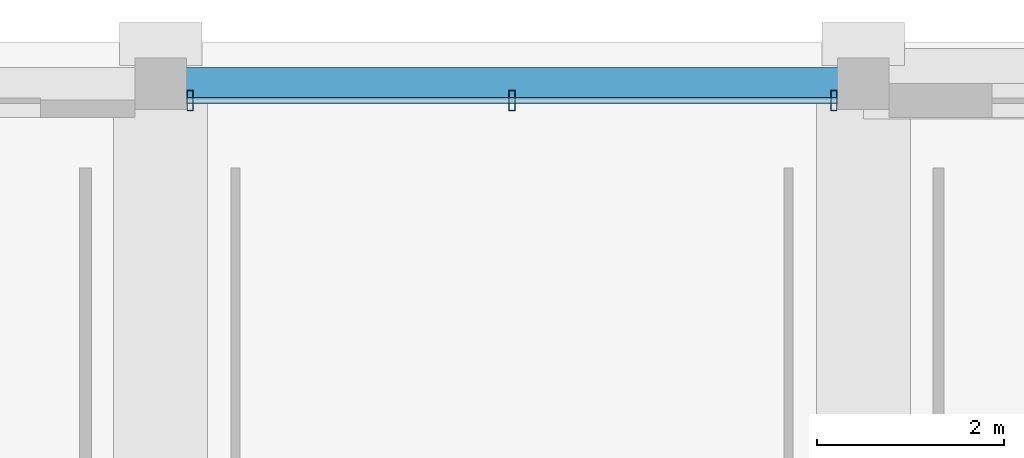
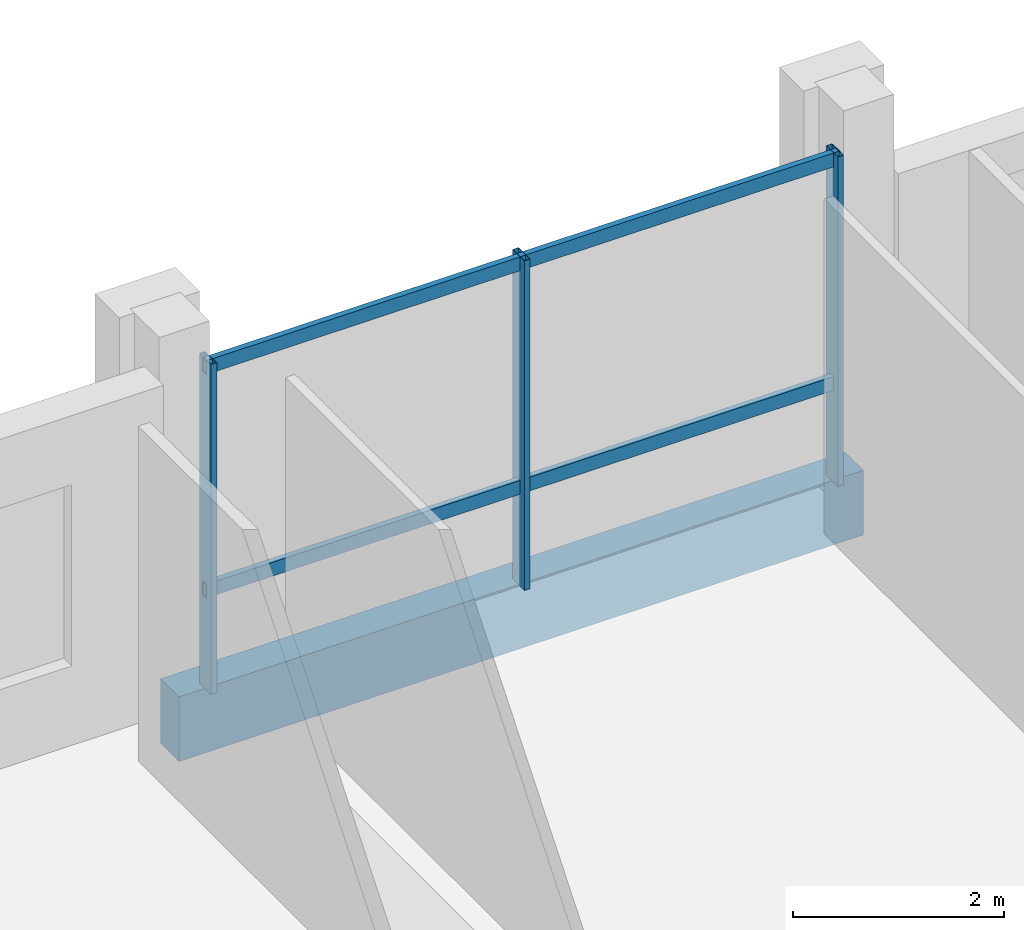
# One storey, part 30 of 68: 5 members, 1 beam, 1 element without a shape of its own.
"""IFC4 building model written with IfcOpenShell, lengths in metres."""

from ifc_helpers import new_model, si_unit, direction, frame, origin, origin_2d, place, context, subcontext, project, spatial, rectangle, hollow_rectangle, extrude, material, material_profile, profile_set, type_object, element, aggregate, save


model = new_model("IFC4")

# Units and contexts
model_context = context("Model", 3, precision=1e-05, world=origin(), true_north=direction((0.0, 1.0)))
body_context = subcontext(model_context, "Body", "Model", "MODEL_VIEW")
ifc_project = project(units=[si_unit("LENGTHUNIT", "METRE"), si_unit("AREAUNIT", "SQUARE_METRE"), si_unit("VOLUMEUNIT", "CUBIC_METRE"), si_unit("PLANEANGLEUNIT", "RADIAN"), si_unit("MASSUNIT", "GRAM", prefix="KILO")], contexts=[model_context])

# Site, building, storey
site_placement = place(None, origin())
site = spatial("IfcSite", under=ifc_project, at=site_placement, CompositionType="ELEMENT")
building_placement = place(site_placement, origin())
building = spatial("IfcBuilding", under=site, at=building_placement, Name="Akrevak Sports Hall", CompositionType="ELEMENT")
storey_placement = place(building_placement, frame((0.0, 0.0, 9.39990234375)))
storey = spatial("IfcBuildingStorey", under=building, at=storey_placement, Name="L02", CompositionType="ELEMENT", Elevation=9.39990234375)

# Curtain wall, members
ifc_material_1 = material(Name="Anodized Bronze Aluminium & Low-E Glass", Category="aluminium")
curtain_wall_type = type_object("IfcCurtainWallType", Name="ARC-CW-POD-70x42", PredefinedType="NOTDEFINED", material=ifc_material_1)
curtain_wall_placement = place(storey_placement, origin())
curtain_wall = element("IfcCurtainWall", 1, at=curtain_wall_placement, inside=storey, type_object=curtain_wall_type, Name="Curtain Wall CW-L02-N06", PredefinedType="NOTDEFINED")
ifc_material_2 = material(Name="Anodized Bronze Aluminium", Category="aluminium")
ifc_material_profile_1 = material_profile(ifc_material_2, hollow_rectangle(XDim=0.06494140625, YDim=0.219970703125, WallThickness=0.00439453125, at=origin_2d()), Name="CWM 65x220", Category="aluminium")
ifc_profile_set_1 = profile_set([ifc_material_profile_1], Name="Anodized Bronze Aluminium")
member_type_1 = type_object("IfcMemberType", Name="ARC-CWM-70x160", PredefinedType="MULLION", material=ifc_profile_set_1)
member_1_placement = place(storey_placement, frame((44.68505859375, 113.820068359375, 0.0), z_axis=(0.0, 0.0, 1.0), x_axis=(-1.0, 0.0, 0.0)))
member_1 = element("IfcMember", 2, at=member_1_placement, type_object=member_type_1, Name="Curtain Wall Mullion CW-L02-N06-M1", PredefinedType="MULLION", context=body_context, shape_type="SweptSolid", body=[
    extrude(hollow_rectangle(XDim=0.06494140625, YDim=0.219970703125, WallThickness=0.00439453125, at=origin_2d()), origin(), (0.0, 0.0, 1.0), 3.820068359375),
])
member_2_placement = place(storey_placement, frame((41.25, 113.820068359375, 0.0), z_axis=(0.0, 0.0, 1.0), x_axis=(-1.0, 0.0, 0.0)))
member_2 = element("IfcMember", 3, at=member_2_placement, type_object=member_type_1, Name="Curtain Wall Mullion CW-L02-N06-M2", PredefinedType="MULLION", context=body_context, shape_type="SweptSolid", body=[
    extrude(hollow_rectangle(XDim=0.06494140625, YDim=0.219970703125, WallThickness=0.00439453125, at=origin_2d()), origin(), (0.0, 0.0, 1.0), 3.820068359375),
])
member_3_placement = place(storey_placement, frame((37.81494140625, 113.820068359375, 0.0), z_axis=(0.0, 0.0, 1.0), x_axis=(-1.0, 0.0, 0.0)))
member_3 = element("IfcMember", 4, at=member_3_placement, type_object=member_type_1, Name="Curtain Wall Mullion CW-L02-N06-M3", PredefinedType="MULLION", context=body_context, shape_type="SweptSolid", body=[
    extrude(hollow_rectangle(XDim=0.06494140625, YDim=0.219970703125, WallThickness=0.00439453125, at=origin_2d()), origin(), (0.0, 0.0, 1.0), 3.820068359375),
])
ifc_material_profile_2 = material_profile(ifc_material_2, hollow_rectangle(XDim=0.06494140625, YDim=0.159912109375, WallThickness=0.00390625, at=origin_2d()), Name="CWT 65x160", Category="aluminium")
ifc_profile_set_2 = profile_set([ifc_material_profile_2], Name="Anodized Bronze Aluminium")
member_type_2 = type_object("IfcMemberType", Name="ARC-CWT-70x130", PredefinedType="USERDEFINED", material=ifc_profile_set_2)
member_4_placement = place(storey_placement, frame((44.72509765625, 113.820068359375, 1.150146484375), z_axis=(-1.0, 0.0, 0.0), x_axis=(0.0, -1.0, 0.0)))
member_4 = element("IfcMember", 5, at=member_4_placement, type_object=member_type_2, Name="Curtain Wall Transom CW-L02-N06-T1", ObjectType="TRANSOM", PredefinedType="USERDEFINED", context=body_context, shape_type="SweptSolid", body=[
    extrude(hollow_rectangle(XDim=0.06494140625, YDim=0.159912109375, WallThickness=0.00390625, at=origin_2d()), origin(), (0.0, 0.0, 1.0), 6.9501953125),
])
member_5_placement = place(storey_placement, frame((44.72509765625, 113.820068359375, 3.739990234375), z_axis=(-1.0, 0.0, 0.0), x_axis=(0.0, -1.0, 0.0)))
member_5 = element("IfcMember", 6, at=member_5_placement, type_object=member_type_2, Name="Curtain Wall Transom CW-L02-N06-T2", ObjectType="TRANSOM", PredefinedType="USERDEFINED", context=body_context, shape_type="SweptSolid", body=[
    extrude(hollow_rectangle(XDim=0.06494140625, YDim=0.159912109375, WallThickness=0.00390625, at=origin_2d()), origin(), (0.0, 0.0, 1.0), 6.9501953125),
])
aggregate(curtain_wall, [member_1, member_2, member_3, member_4, member_5])

# Beam
ifc_material_3 = material(Name="Concrete C40/50", Category="concrete")
ifc_material_profile_3 = material_profile(ifc_material_3, rectangle(XDim=0.35009765625, YDim=0.75, at=origin_2d()), Name="SPD 350x750", Category="concrete")
ifc_profile_set_3 = profile_set([ifc_material_profile_3], Name="Concrete C40/50")
beam_type = type_object("IfcBeamType", Name="STR-SPD-RC350x750", PredefinedType="SPANDREL", material=ifc_profile_set_3)
beam_placement = place(storey_placement, frame((37.5, 114.0, -0.375), z_axis=(1.0, 0.0, 0.0), x_axis=(0.0, 1.0, 0.0)))
element("IfcBeam", 7, at=beam_placement, inside=storey, type_object=beam_type, Name="Girder Q/6-7 (L02)", PredefinedType="SPANDREL", context=body_context, shape_type="SweptSolid", body=[
    extrude(rectangle(XDim=0.35009765625, YDim=0.75, at=origin_2d()), origin(), (0.0, 0.0, 1.0), 7.5),
])

save(model, "model.ifc")
